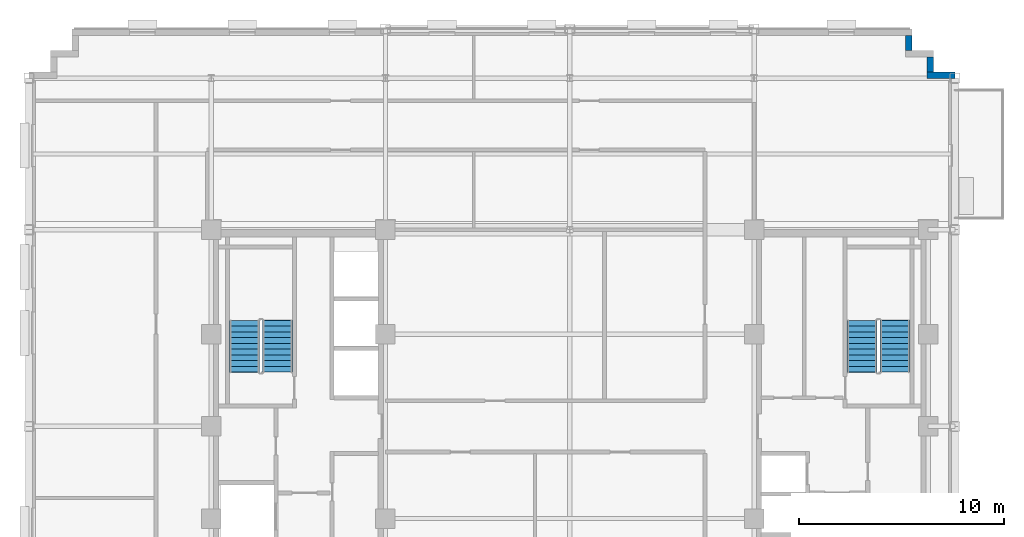
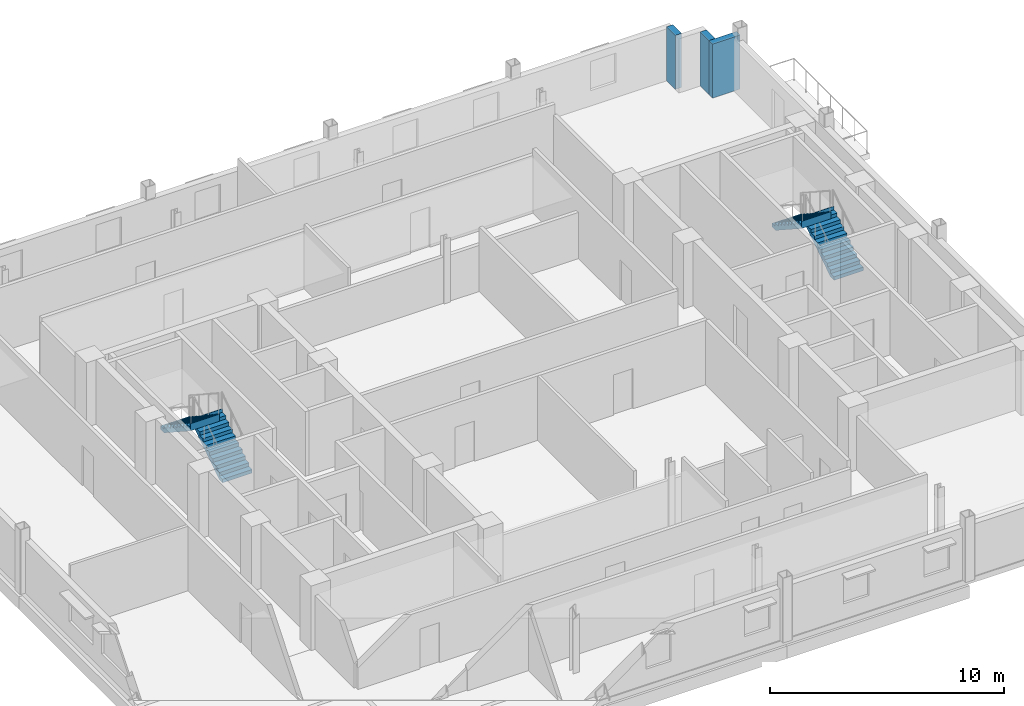
# One storey, part 9 of 13: 4 stair flights, 3 walls, 2 elements without a shape of their own.
"""IFC4 building model written with IfcOpenShell, lengths in metres."""

from ifc_helpers import new_model, si_unit, direction, frame, frame_2d, origin, place, context, subcontext, project, spatial, polyline, rectangle, outline, extrude, material, layer, layer_set, type_object, element, aggregate, save


model = new_model("IFC4")

# Units and contexts
model_context = context("Model", 3, precision=1e-05, world=origin(), true_north=direction((0.0, 1.0)))
body_context = subcontext(model_context, "Body", "Model", "MODEL_VIEW")
ifc_project = project(units=[si_unit("LENGTHUNIT", "METRE"), si_unit("AREAUNIT", "SQUARE_METRE"), si_unit("VOLUMEUNIT", "CUBIC_METRE"), si_unit("PLANEANGLEUNIT", "RADIAN"), si_unit("MASSUNIT", "GRAM", prefix="KILO")], contexts=[model_context])

# Site, building, storey
site_placement = place(None, origin())
site = spatial("IfcSite", under=ifc_project, at=site_placement, CompositionType="ELEMENT")
building_placement = place(site_placement, origin())
building = spatial("IfcBuilding", under=site, at=building_placement, Name="Nuvemarco Arch Tower", CompositionType="ELEMENT")
storey_placement = place(building_placement, frame((0.0, 0.0, 220.10009765625)))
storey = spatial("IfcBuildingStorey", under=building, at=storey_placement, Name="L58", CompositionType="ELEMENT", Elevation=220.10009765625)

# Walls
ifc_material = material(Name="Precast concrete C45/55", Category="concrete")
ifc_layer = layer(ifc_material, 0.31005859375, Name="EW-UPP-310")
ifc_layer_set = layer_set([ifc_layer], Name="Precast concrete C45/55")
wall_type = type_object("IfcWallType", Name="EW-UPP-310", PredefinedType="STANDARD", material=ifc_layer_set)
wall_placement = place(storey_placement, frame((17.43994140625, 17.14501953125, 0.0), z_axis=(0.0, 0.0, 1.0), x_axis=(1.0, 0.0, 0.0)))
element("IfcWall", 1, at=wall_placement, inside=storey, type_object=wall_type, Name="L58 exterior precast facade wall 7", PredefinedType="STANDARD", context=body_context, shape_type="SweptSolid", body=[
    extrude(rectangle(XDim=1.360107421875, YDim=0.31005859375, at=frame_2d((0.68017578125, 0.0))), origin(), (0.0, 0.0, 1.0), 2.81591796875),
])
for number, where, z_axis, x_axis, name in (
    (2, (17.594970703125, 17.2958984375, 0.0), (0.0, 0.0, 1.0), (0.0, 1.0, 0.0), "L58 exterior precast facade wall 8"),
    (3, (16.544921875, 18.345947265625, 0.0), (0.0, 0.0, 1.0), (0.0, 1.0, 0.0), "L58 exterior precast facade wall 10"),
):
    element("IfcWall", number, at=place(storey_placement, frame(where, z_axis=z_axis, x_axis=x_axis)), inside=storey, type_object=wall_type, Name=name, PredefinedType="STANDARD", context=body_context, shape_type="SweptSolid", body=[
        extrude(rectangle(XDim=0.748046875, YDim=0.31005859375, at=frame_2d((0.3740234375, 0.0))), origin(), (0.0, 0.0, 1.0), 2.81591796875),
    ])

# Stair, stair flights
stair_type = type_object("IfcStairType", Name="ST-CORE-20R", PredefinedType="HALF_TURN_STAIR", material=ifc_material)
stair_1_placement = place(storey_placement, origin())
stair_1 = element("IfcStair", 4, at=stair_1_placement, inside=storey, type_object=stair_type, Name="L58 Protected Exit Stair ST-1", PredefinedType="HALF_TURN_STAIR")
stair_flight_type = type_object("IfcStairFlightType", Name="SF-CORE-20R", PredefinedType="STRAIGHT", material=ifc_material)
stair_flight_1_placement = place(storey_placement, frame((-14.264892578125, 2.64990234375, 0.0), z_axis=(0.0, 0.0, 1.0), x_axis=(0.0, 1.0, 0.0)))
stair_flight_1 = element("IfcStairFlight", 5, at=stair_flight_1_placement, type_object=stair_flight_type, Name="ST-20R flight 1", NumberOfRisers=10, NumberOfTreads=9, PredefinedType="STRAIGHT", RiserHeight=0.1825, TreadLength=0.28, context=body_context, shape_type="SweptSolid", body=[
    extrude(outline(polyline([(0.0, 0.0), (0.0, 0.1826171875), (0.280029296875, 0.1826171875), (0.280029296875, 0.364990234375), (0.56005859375, 0.364990234375), (0.56005859375, 0.547607421875), (0.840087890625, 0.547607421875), (0.840087890625, 0.72998046875), (1.1201171875, 0.72998046875), (1.1201171875, 0.91259765625), (1.39990234375, 0.91259765625), (1.39990234375, 1.094970703125), (1.679931640625, 1.094970703125), (1.679931640625, 1.277587890625), (1.9599609375, 1.277587890625), (1.9599609375, 1.4599609375), (2.239990234375, 1.4599609375), (2.239990234375, 1.642578125), (2.52001953125, 1.642578125), (2.52001953125, 1.824951171875), (2.5400390625, 1.824951171875), (2.5400390625, 1.45166015625), (0.312744140625, 0.0), (0.0, 0.0)])), frame((0.0, 0.72509765625, 0.0), z_axis=(0.0, -1.0, 0.0), x_axis=(1.0, 0.0, 0.0)), (0.0, 0.0, 1.0), 1.449951171875),
])
stair_flight_2_placement = place(storey_placement, frame((-15.875, 5.169921875, 1.824951171875), z_axis=(0.0, 0.0, 1.0), x_axis=(0.0, -1.0, 0.0)))
stair_flight_2 = element("IfcStairFlight", 6, at=stair_flight_2_placement, type_object=stair_flight_type, Name="ST-20R flight 2", NumberOfRisers=10, NumberOfTreads=9, PredefinedType="STRAIGHT", RiserHeight=0.1825, TreadLength=0.28, context=body_context, shape_type="SweptSolid", body=[
    extrude(outline(polyline([(0.0, 0.0), (0.0, 0.1826171875), (0.280029296875, 0.1826171875), (0.280029296875, 0.364990234375), (0.56005859375, 0.364990234375), (0.56005859375, 0.547607421875), (0.840087890625, 0.547607421875), (0.840087890625, 0.72998046875), (1.1201171875, 0.72998046875), (1.1201171875, 0.91259765625), (1.39990234375, 0.91259765625), (1.39990234375, 1.094970703125), (1.679931640625, 1.094970703125), (1.679931640625, 1.277587890625), (1.9599609375, 1.277587890625), (1.9599609375, 1.4599609375), (2.239990234375, 1.4599609375), (2.239990234375, 1.642578125), (2.52001953125, 1.642578125), (2.52001953125, 1.824951171875), (2.5400390625, 1.824951171875), (2.5400390625, 1.45166015625), (0.312744140625, 0.0), (0.0, 0.0)])), frame((0.0, 0.72509765625, 0.0), z_axis=(0.0, -1.0, 0.0), x_axis=(1.0, 0.0, 0.0)), (0.0, 0.0, 1.0), 1.449951171875),
])
aggregate(stair_1, [stair_flight_1, stair_flight_2])

stair_2_placement = place(storey_placement, origin())
stair_2 = element("IfcStair", 7, at=stair_2_placement, inside=storey, type_object=stair_type, Name="L58 Protected Exit Stair ST-2", PredefinedType="HALF_TURN_STAIR")
stair_flight_3_placement = place(storey_placement, frame((15.875, 2.64990234375, 0.0), z_axis=(0.0, 0.0, 1.0), x_axis=(0.0, 1.0, 0.0)))
stair_flight_3 = element("IfcStairFlight", 8, at=stair_flight_3_placement, type_object=stair_flight_type, Name="ST-20R flight 1", NumberOfRisers=10, NumberOfTreads=9, PredefinedType="STRAIGHT", RiserHeight=0.1825, TreadLength=0.28, context=body_context, shape_type="SweptSolid", body=[
    extrude(outline(polyline([(0.0, 0.0), (0.0, 0.1826171875), (0.280029296875, 0.1826171875), (0.280029296875, 0.364990234375), (0.56005859375, 0.364990234375), (0.56005859375, 0.547607421875), (0.840087890625, 0.547607421875), (0.840087890625, 0.72998046875), (1.1201171875, 0.72998046875), (1.1201171875, 0.91259765625), (1.39990234375, 0.91259765625), (1.39990234375, 1.094970703125), (1.679931640625, 1.094970703125), (1.679931640625, 1.277587890625), (1.9599609375, 1.277587890625), (1.9599609375, 1.4599609375), (2.239990234375, 1.4599609375), (2.239990234375, 1.642578125), (2.52001953125, 1.642578125), (2.52001953125, 1.824951171875), (2.5400390625, 1.824951171875), (2.5400390625, 1.45166015625), (0.312744140625, 0.0), (0.0, 0.0)])), frame((0.0, 0.72509765625, 0.0), z_axis=(0.0, -1.0, 0.0), x_axis=(1.0, 0.0, 0.0)), (0.0, 0.0, 1.0), 1.449951171875),
])
stair_flight_4_placement = place(storey_placement, frame((14.264892578125, 5.169921875, 1.824951171875), z_axis=(0.0, 0.0, 1.0), x_axis=(0.0, -1.0, 0.0)))
stair_flight_4 = element("IfcStairFlight", 9, at=stair_flight_4_placement, type_object=stair_flight_type, Name="ST-20R flight 2", NumberOfRisers=10, NumberOfTreads=9, PredefinedType="STRAIGHT", RiserHeight=0.1825, TreadLength=0.28, context=body_context, shape_type="SweptSolid", body=[
    extrude(outline(polyline([(0.0, 0.0), (0.0, 0.1826171875), (0.280029296875, 0.1826171875), (0.280029296875, 0.364990234375), (0.56005859375, 0.364990234375), (0.56005859375, 0.547607421875), (0.840087890625, 0.547607421875), (0.840087890625, 0.72998046875), (1.1201171875, 0.72998046875), (1.1201171875, 0.91259765625), (1.39990234375, 0.91259765625), (1.39990234375, 1.094970703125), (1.679931640625, 1.094970703125), (1.679931640625, 1.277587890625), (1.9599609375, 1.277587890625), (1.9599609375, 1.4599609375), (2.239990234375, 1.4599609375), (2.239990234375, 1.642578125), (2.52001953125, 1.642578125), (2.52001953125, 1.824951171875), (2.5400390625, 1.824951171875), (2.5400390625, 1.45166015625), (0.312744140625, 0.0), (0.0, 0.0)])), frame((0.0, 0.72509765625, 0.0), z_axis=(0.0, -1.0, 0.0), x_axis=(1.0, 0.0, 0.0)), (0.0, 0.0, 1.0), 1.449951171875),
])
aggregate(stair_2, [stair_flight_3, stair_flight_4])

save(model, "model.ifc")
